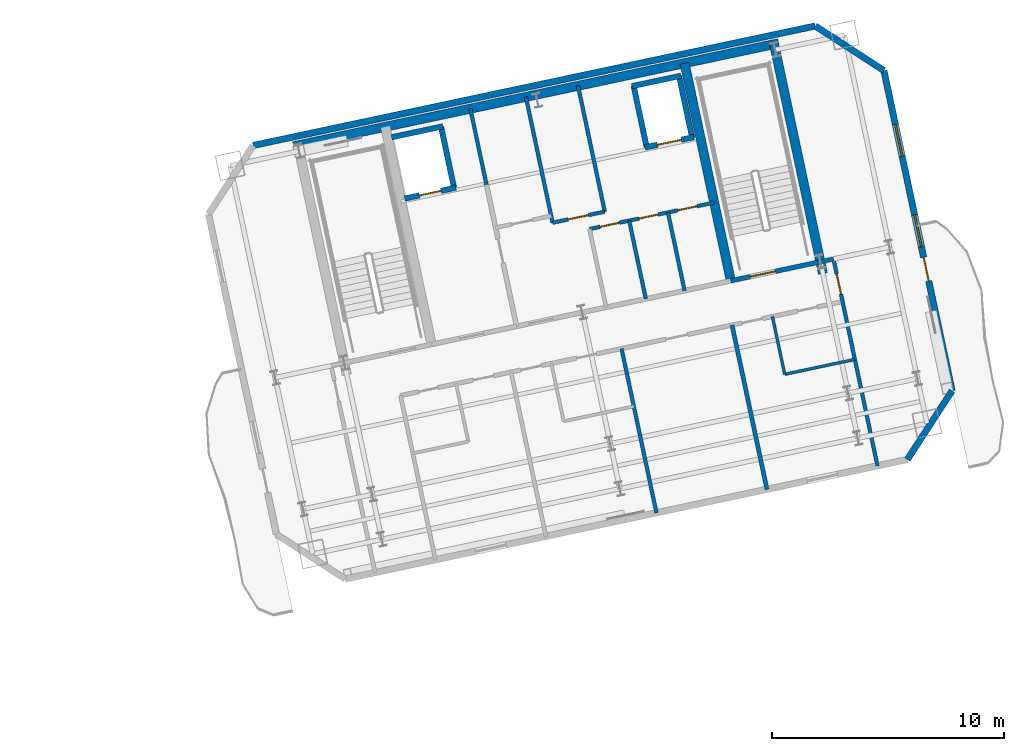
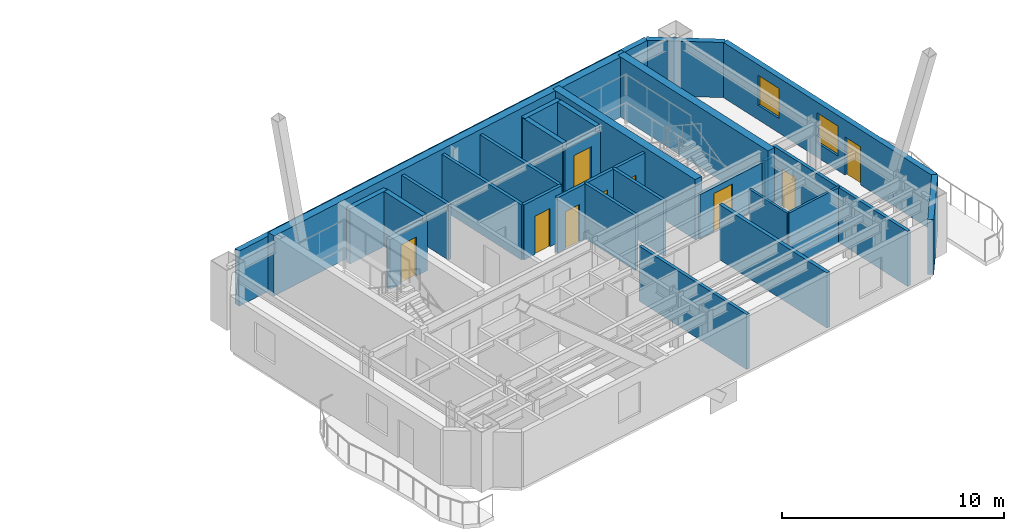
# One storey, part 9 of 14: 28 walls, 9 doors, 2 windows, 11 openings.
"""IFC4 building model written with IfcOpenShell, lengths in metres."""

from ifc_helpers import new_model, si_unit, direction, frame, frame_2d, origin, place, context, subcontext, project, spatial, rectangle, extrude, material, layer, layer_set, type_object, element, fill, save


model = new_model("IFC4")

# Units and contexts
model_context = context("Model", 3, precision=1e-05, world=origin(), true_north=direction((0.0, 1.0)))
body_context = subcontext(model_context, "Body", "Model", "MODEL_VIEW")
ifc_project = project(units=[si_unit("LENGTHUNIT", "METRE"), si_unit("AREAUNIT", "SQUARE_METRE"), si_unit("VOLUMEUNIT", "CUBIC_METRE"), si_unit("PLANEANGLEUNIT", "RADIAN"), si_unit("MASSUNIT", "GRAM", prefix="KILO")], contexts=[model_context])

# Site, building, storey
site_placement = place(None, origin())
site = spatial("IfcSite", under=ifc_project, at=site_placement, CompositionType="ELEMENT")
building_placement = place(site_placement, origin())
building = spatial("IfcBuilding", under=site, at=building_placement, Name="Haevon Station Towers", CompositionType="ELEMENT")
storey_placement = place(building_placement, frame((0.0, 0.0, 208.800048828125)))
storey = spatial("IfcBuildingStorey", under=building, at=storey_placement, Name="L57", CompositionType="ELEMENT", Elevation=208.800048828125)

# Walls
ifc_material_1 = material(Name="Gypsum board on steel stud", Category="steel")
ifc_layer_1 = layer(ifc_material_1, 0.179931640625)
ifc_layer_set_1 = layer_set([ifc_layer_1], Name="Gypsum board on steel stud")
wall_type_1 = type_object("IfcWallType", Name="WL-ACU180", PredefinedType="PARTITIONING", material=ifc_layer_set_1)
wall_1_placement = place(storey_placement, frame((119.29345703125, 41.80859375, 0.0), z_axis=(0.0, 0.0, 1.0), x_axis=(0.978146012851, 0.207919161079, 0.0)))
element("IfcWall", 1, at=wall_1_placement, inside=storey, type_object=wall_type_1, Name="WL-T2PT-L57-03", PredefinedType="PARTITIONING", context=body_context, shape_type="SweptSolid", body=[
    extrude(rectangle(XDim=0.580078125, YDim=0.179931640625, at=frame_2d((0.2900390625, 0.0))), origin(), (0.0, 0.0, 1.0), 2.429931640625),
])
wall_2_placement = place(storey_placement, frame((116.990478515625, 31.985107421875, 0.0), z_axis=(0.0, 0.0, 1.0), x_axis=(-0.207907487947, 0.978148494072, 0.0)))
element("IfcWall", 2, at=wall_2_placement, inside=storey, type_object=wall_type_1, Name="WL-T2PT-L57-12", PredefinedType="PARTITIONING", context=body_context, shape_type="SweptSolid", body=[
    extrude(rectangle(XDim=7.25, YDim=0.179931640625, at=frame_2d((3.625, 0.0))), origin(), (0.0, 0.0, 1.0), 3.030029296875),
])

# Wall, opening, door
ifc_layer_2 = layer(ifc_material_1, 0.199951171875)
ifc_layer_set_2 = layer_set([ifc_layer_2], Name="Gypsum board on steel stud")
wall_type_2 = type_object("IfcWallType", Name="WL-COR200", PredefinedType="PARTITIONING", material=ifc_layer_set_2)
wall_3_placement = place(storey_placement, frame((115.4296875, 40.9873046875, 0.0), z_axis=(0.0, 0.0, 1.0), x_axis=(0.978146596989, 0.207916413008, 0.0)))
wall_3 = element("IfcWall", 3, at=wall_3_placement, inside=storey, type_object=wall_type_2, Name="WL-ST-ST4-L57", PredefinedType="PARTITIONING", context=body_context, shape_type="SweptSolid", body=[
    extrude(rectangle(XDim=3.9501953125, YDim=0.199951171875, at=frame_2d((1.97509765625, 0.0))), origin(), (0.0, 0.0, 1.0), 2.429931640625),
])
opening_1_placement = place(wall_3_placement, frame((0.85009765625, 0.0, 0.0)))
opening_1 = element("IfcOpeningElement", 4, at=opening_1_placement, cuts=wall_3, Name="Opening DR-ST-ST4-L57", PredefinedType="OPENING", context=body_context, shape_type="SweptSolid", body=[
    extrude(rectangle(XDim=1.1201171875, YDim=2.10009765625, at=frame_2d((0.56005859375, 1.050048828125))), frame((0.0, 0.10986328125, 0.0), z_axis=(0.0, -1.0, 0.0), x_axis=(1.0, 0.0, 0.0)), (0.0, 0.0, 1.0), 0.219970703125),
])
ifc_material_2 = material(Name="Engineered oak timber", Category="wood")
door_type_1 = type_object("IfcDoorType", Name="DR-ST-1120", OperationType="NOTDEFINED", PredefinedType="DOOR", material=ifc_material_2)
door_1_placement = place(opening_1_placement, origin())
door_1 = element("IfcDoor", 5, at=door_1_placement, inside=storey, type_object=door_type_1, Name="L57 Escape Stair ST4 Fire Door", OperationType="SINGLE_SWING_RIGHT", OverallHeight=2.10009765625, OverallWidth=1.1201171875, PredefinedType="DOOR", context=body_context, shape_type="SweptSolid", body=[
    extrude(rectangle(XDim=1.1201171875, YDim=2.10009765625, at=frame_2d((0.56005859375, 1.050048828125))), frame((0.0, 0.02490234375, 0.0), z_axis=(0.0, -1.0, 0.0), x_axis=(1.0, 0.0, 0.0)), (0.0, 0.0, 1.0), 0.050048828125),
])
fill(opening_1, door_1)

# Walls
ifc_material_3 = material(Name="Concrete C60/75", Category="concrete")
ifc_layer_3 = layer(ifc_material_3, 0.39990234375)
ifc_layer_set_3 = layer_set([ifc_layer_3], Name="Concrete C60/75")
wall_type_3 = type_object("IfcWallType", Name="WL-CR400", PredefinedType="SHEAR", material=ifc_layer_set_3)
wall_4_placement = place(storey_placement, frame((96.560791015625, 46.791015625, 0.0), z_axis=(0.0, 0.0, 1.0), x_axis=(0.978148498705, 0.207907466152, 0.0)))
element("IfcWall", 6, at=wall_4_placement, inside=storey, type_object=wall_type_3, Name="WL-T2CR-L57-N", PredefinedType="SHEAR", context=body_context, shape_type="SweptSolid", body=[
    extrude(rectangle(XDim=21.39990234375, YDim=0.39990234375, at=frame_2d((10.699951171875, 0.0))), origin(), (0.0, 0.0, 1.0), 3.300048828125),
])
wall_5_placement = place(storey_placement, frame((119.401611328125, 41.2998046875, 0.0), z_axis=(0.0, 0.0, 1.0), x_axis=(-0.207904342798, 0.978149162575, 0.0)))
element("IfcWall", 7, at=wall_5_placement, inside=storey, type_object=wall_type_3, Name="WL-T2CR-L57-E", PredefinedType="SHEAR", context=body_context, shape_type="SweptSolid", body=[
    extrude(rectangle(XDim=10.1201171875, YDim=0.39990234375, at=frame_2d((5.06005859375, 0.0))), origin(), (0.0, 0.0, 1.0), 3.300048828125),
])
wall_6_placement = place(storey_placement, frame((115.4296875, 40.9873046875, 0.0), z_axis=(0.0, 0.0, 1.0), x_axis=(-0.207903162969, 0.978149413345, 0.0)))
element("IfcWall", 8, at=wall_6_placement, inside=storey, type_object=wall_type_3, Name="WL-T2CR-L57-M2", PredefinedType="SHEAR", context=body_context, shape_type="SweptSolid", body=[
    extrude(rectangle(XDim=9.599853515625, YDim=0.39990234375, at=frame_2d((4.7998046875, 0.0))), origin(), (0.0, 0.0, 1.0), 3.300048828125),
])
ifc_material_4 = material(Name="Precast concrete C45/55", Category="concrete")
ifc_layer_4 = layer(ifc_material_4, 0.280029296875)
ifc_layer_set_4 = layer_set([ifc_layer_4], Name="Precast concrete C45/55")
wall_type_4 = type_object("IfcWallType", Name="WL-EXT-PIER280", PredefinedType="SOLIDWALL", material=ifc_layer_set_4)
wall_7_placement = place(storey_placement, frame((94.814697265625, 46.828857421875, 0.0), z_axis=(0.0, 0.0, 1.0), x_axis=(0.97814726544, 0.207913268245, 0.0)))
element("IfcWall", 9, at=wall_7_placement, inside=storey, type_object=wall_type_4, Name="WL-T2-L57-N", PredefinedType="SOLIDWALL", context=body_context, shape_type="SweptSolid", body=[
    extrude(rectangle(XDim=24.800048828125, YDim=0.280029296875, at=frame_2d((12.39990234375, 0.0))), origin(), (0.0, 0.0, 1.0), 3.030029296875),
])
wall_8_placement = place(storey_placement, frame((119.07275390625, 51.985107421875, 0.0), z_axis=(0.0, 0.0, 1.0), x_axis=(0.838672309694, -0.544636352948, 0.0)))
element("IfcWall", 10, at=wall_8_placement, inside=storey, type_object=wall_type_4, Name="WL-T2-L57-NEC", PredefinedType="SOLIDWALL", context=body_context, shape_type="SweptSolid", body=[
    extrude(rectangle(XDim=3.535400390625, YDim=0.280029296875, at=frame_2d((1.767578125, 0.0))), origin(), (0.0, 0.0, 1.0), 3.030029296875),
])

# Wall, openings, door, windows
wall_9_placement = place(storey_placement, frame((122.037841796875, 50.0595703125, 0.0), z_axis=(0.0, 0.0, 1.0), x_axis=(0.207924054969, -0.978144972571, 0.0)))
wall_9 = element("IfcWall", 11, at=wall_9_placement, inside=storey, type_object=wall_type_4, Name="WL-T2-L57-E", PredefinedType="SOLIDWALL", context=body_context, shape_type="SweptSolid", body=[
    extrude(rectangle(XDim=14.130126953125, YDim=0.280029296875, at=frame_2d((7.06494140625, 0.0))), origin(), (0.0, 0.0, 1.0), 3.030029296875),
])
opening_2_placement = place(wall_9_placement, frame((8.239990234375, 0.0, 0.0)))
opening_2 = element("IfcOpeningElement", 12, at=opening_2_placement, cuts=wall_9, Name="Opening DR-T2-SCAL-L57-E", PredefinedType="OPENING", context=body_context, shape_type="SweptSolid", body=[
    extrude(rectangle(XDim=1.050048828125, YDim=2.10009765625, at=frame_2d((0.52490234375, 1.050048828125))), frame((0.0, 0.14990234375, 0.0), z_axis=(0.0, -1.0, 0.0), x_axis=(1.0, 0.0, 0.0)), (0.0, 0.0, 1.0), 0.300048828125),
])
opening_3_placement = place(wall_9_placement, frame((2.389892578125, 0.0, 0.800048828125)))
opening_3 = element("IfcOpeningElement", 13, at=opening_3_placement, cuts=wall_9, Name="Opening WN-END140", PredefinedType="OPENING", context=body_context, shape_type="SweptSolid", body=[
    extrude(rectangle(XDim=1.39990234375, YDim=1.64990234375, at=frame_2d((0.699951171875, 0.824951171875))), frame((0.0, 0.14990234375, 0.0), z_axis=(0.0, -1.0, 0.0), x_axis=(1.0, 0.0, 0.0)), (0.0, 0.0, 1.0), 0.300048828125),
])
opening_4_placement = place(wall_9_placement, frame((6.364990234375, 0.0, 0.800048828125)))
opening_4 = element("IfcOpeningElement", 14, at=opening_4_placement, cuts=wall_9, Name="Opening WN-END140", PredefinedType="OPENING", context=body_context, shape_type="SweptSolid", body=[
    extrude(rectangle(XDim=1.39990234375, YDim=1.64990234375, at=frame_2d((0.699951171875, 0.824951171875))), frame((0.0, 0.14990234375, 0.0), z_axis=(0.0, -1.0, 0.0), x_axis=(1.0, 0.0, 0.0)), (0.0, 0.0, 1.0), 0.300048828125),
])
ifc_material_5 = material(Name="Thermally broken anodised aluminium and laminated safety glass", Category="aluminium")
door_type_2 = type_object("IfcDoorType", Name="DR-BALC-1050", OperationType="NOTDEFINED", PredefinedType="DOOR", material=ifc_material_5)
door_2_placement = place(opening_2_placement, origin())
door_2 = element("IfcDoor", 15, at=door_2_placement, inside=storey, type_object=door_type_2, Name="Tower 2 L57 East Scalloped Balcony Door", OperationType="SINGLE_SWING_LEFT", OverallHeight=2.10009765625, OverallWidth=1.050048828125, PredefinedType="DOOR", context=body_context, shape_type="SweptSolid", body=[
    extrude(rectangle(XDim=1.050048828125, YDim=2.10009765625, at=frame_2d((0.52490234375, 1.050048828125))), frame((0.0, 0.02490234375, 0.0), z_axis=(0.0, -1.0, 0.0), x_axis=(1.0, 0.0, 0.0)), (0.0, 0.0, 1.0), 0.050048828125),
])
fill(opening_2, door_2)
ifc_material_6 = material(Name="Low-E triple glazing in thermally broken aluminium", Category="aluminium")
window_type = type_object("IfcWindowType", Name="WN-END140", PartitioningType="SINGLE_PANEL", PredefinedType="WINDOW", material=ifc_material_6)
window_1_placement = place(opening_3_placement, origin())
window_1 = element("IfcWindow", 16, at=window_1_placement, inside=storey, type_object=window_type, Name="WN-T2-L57-E01", OverallHeight=1.64990234375, OverallWidth=1.39990234375, PartitioningType="SINGLE_PANEL", PredefinedType="WINDOW", context=body_context, shape_type="SweptSolid", body=[
    extrude(rectangle(XDim=1.39990234375, YDim=1.64990234375, at=frame_2d((0.699951171875, 0.824951171875))), frame((0.0, 0.030029296875, 0.0), z_axis=(0.0, -1.0, 0.0), x_axis=(1.0, 0.0, 0.0)), (0.0, 0.0, 1.0), 0.06005859375),
])
fill(opening_3, window_1)
window_2_placement = place(opening_4_placement, origin())
window_2 = element("IfcWindow", 17, at=window_2_placement, inside=storey, type_object=window_type, Name="WN-T2-L57-E02", OverallHeight=1.64990234375, OverallWidth=1.39990234375, PartitioningType="SINGLE_PANEL", PredefinedType="WINDOW", context=body_context, shape_type="SweptSolid", body=[
    extrude(rectangle(XDim=1.39990234375, YDim=1.64990234375, at=frame_2d((0.699951171875, 0.824951171875))), frame((0.0, 0.030029296875, 0.0), z_axis=(0.0, -1.0, 0.0), x_axis=(1.0, 0.0, 0.0)), (0.0, 0.0, 1.0), 0.06005859375),
])
fill(opening_4, window_2)

# Walls
wall_10_placement = place(storey_placement, frame((124.975830078125, 36.23828125, 0.0), z_axis=(0.0, 0.0, 1.0), x_axis=(-0.544684921471, -0.838640767148, 0.0)))
element("IfcWall", 18, at=wall_10_placement, inside=storey, type_object=wall_type_4, Name="WL-T2-L57-SEC", PredefinedType="SOLIDWALL", context=body_context, shape_type="SweptSolid", body=[
    extrude(rectangle(XDim=3.53564453125, YDim=0.280029296875, at=frame_2d((1.767822265625, 0.0))), origin(), (0.0, 0.0, 1.0), 3.030029296875),
])
ifc_layer_5 = layer(ifc_material_1, 0.125)
ifc_layer_set_5 = layer_set([ifc_layer_5], Name="Gypsum board on steel stud")
wall_type_5 = type_object("IfcWallType", Name="WL-PRT125", PredefinedType="PARTITIONING", material=ifc_layer_set_5)
wall_11_placement = place(storey_placement, frame((117.75439453125, 36.952392578125, 0.0), z_axis=(0.0, 0.0, 1.0), x_axis=(0.978142809708, 0.207934229547, 0.0)))
element("IfcWall", 19, at=wall_11_placement, inside=storey, type_object=wall_type_5, Name="WL-T2PT-L57-13", PredefinedType="PARTITIONING", context=body_context, shape_type="SweptSolid", body=[
    extrude(rectangle(XDim=3.094970703125, YDim=0.125, at=frame_2d((1.54736328125, 0.0))), origin(), (0.0, 0.0, 1.0), 3.030029296875),
])
wall_12_placement = place(storey_placement, frame((117.75439453125, 36.952392578125, 0.0), z_axis=(0.0, 0.0, 1.0), x_axis=(-0.207848450565, 0.978161040728, 0.0)))
element("IfcWall", 20, at=wall_12_placement, inside=storey, type_object=wall_type_5, Name="WL-T2PT-L57-14", PredefinedType="PARTITIONING", context=body_context, shape_type="SweptSolid", body=[
    extrude(rectangle(XDim=2.550048828125, YDim=0.125, at=frame_2d((1.27490234375, 0.0))), origin(), (0.0, 0.0, 1.0), 3.030029296875),
])
ifc_layer_6 = layer(ifc_material_1, 0.159912109375)
ifc_layer_set_6 = layer_set([ifc_layer_6], Name="Gypsum board on steel stud")
wall_type_6 = type_object("IfcWallType", Name="WL-PRT160", PredefinedType="PARTITIONING", material=ifc_layer_set_6)
wall_13_placement = place(storey_placement, frame((104.88671875, 45.135986328125, 0.0), z_axis=(0.0, 0.0, 1.0), x_axis=(-0.207846553267, 0.978161443881, 0.0)))
element("IfcWall", 21, at=wall_13_placement, inside=storey, type_object=wall_type_6, Name="WL-T2CW-L57-01", PredefinedType="PARTITIONING", context=body_context, shape_type="SweptSolid", body=[
    extrude(rectangle(XDim=3.35009765625, YDim=0.159912109375, at=frame_2d((1.675048828125, 0.0))), origin(), (0.0, 0.0, 1.0), 3.030029296875),
])
wall_14_placement = place(storey_placement, frame((107.74072265625, 43.493408203125, 0.0), z_axis=(0.0, 0.0, 1.0), x_axis=(-0.207936619013, 0.97814230175, 0.0)))
element("IfcWall", 22, at=wall_14_placement, inside=storey, type_object=wall_type_6, Name="WL-T2CW-L57-03", PredefinedType="PARTITIONING", context=body_context, shape_type="SweptSolid", body=[
    extrude(rectangle(XDim=5.550048828125, YDim=0.159912109375, at=frame_2d((2.77490234375, 0.0))), origin(), (0.0, 0.0, 1.0), 3.030029296875),
])

# Wall, opening, door
wall_15_placement = place(storey_placement, frame((107.74072265625, 43.493408203125, 0.0), z_axis=(0.0, 0.0, 1.0), x_axis=(0.978141312374, 0.207941273027, 0.0)))
wall_15 = element("IfcWall", 23, at=wall_15_placement, inside=storey, type_object=wall_type_6, Name="WL-T2CW-L57-04", PredefinedType="PARTITIONING", context=body_context, shape_type="SweptSolid", body=[
    extrude(rectangle(XDim=2.300048828125, YDim=0.159912109375, at=frame_2d((1.14990234375, 0.0))), origin(), (0.0, 0.0, 1.0), 3.030029296875),
])
opening_5_placement = place(wall_15_placement, frame((0.679931640625, 0.0, 0.0)))
opening_5 = element("IfcOpeningElement", 24, at=opening_5_placement, cuts=wall_15, Name="Opening DR-WL-T2CW-L57-04-1", PredefinedType="OPENING", context=body_context, shape_type="SweptSolid", body=[
    extrude(rectangle(XDim=0.89990234375, YDim=2.10009765625, at=frame_2d((0.449951171875, 1.050048828125))), frame((0.0, 0.08984375, 0.0), z_axis=(0.0, -1.0, 0.0), x_axis=(1.0, 0.0, 0.0)), (0.0, 0.0, 1.0), 0.179931640625),
])
door_type_3 = type_object("IfcDoorType", Name="DR-FD60-900", OperationType="NOTDEFINED", PredefinedType="DOOR", material=ifc_material_2)
door_3_placement = place(opening_5_placement, origin())
door_3 = element("IfcDoor", 25, at=door_3_placement, inside=storey, type_object=door_type_3, Name="L57 Tower 2 Core Room Door 4-1", OperationType="SINGLE_SWING_RIGHT", OverallHeight=2.10009765625, OverallWidth=0.89990234375, PredefinedType="DOOR", context=body_context, shape_type="SweptSolid", body=[
    extrude(rectangle(XDim=0.89990234375, YDim=2.10009765625, at=frame_2d((0.449951171875, 1.050048828125))), frame((0.0, 0.02490234375, 0.0), z_axis=(0.0, -1.0, 0.0), x_axis=(1.0, 0.0, 0.0)), (0.0, 0.0, 1.0), 0.050048828125),
])
fill(opening_5, door_3)

# Walls
wall_16_placement = place(storey_placement, frame((109.990478515625, 43.9716796875, 0.0), z_axis=(0.0, 0.0, 1.0), x_axis=(-0.207936619013, 0.97814230175, 0.0)))
element("IfcWall", 26, at=wall_16_placement, inside=storey, type_object=wall_type_6, Name="WL-T2CW-L57-05", PredefinedType="PARTITIONING", context=body_context, shape_type="SweptSolid", body=[
    extrude(rectangle(XDim=5.550048828125, YDim=0.159912109375, at=frame_2d((2.77490234375, 0.0))), origin(), (0.0, 0.0, 1.0), 3.030029296875),
])
wall_17_placement = place(storey_placement, frame((111.76171875, 40.20751953125, 0.0), z_axis=(0.0, 0.0, 1.0), x_axis=(-0.207900225061, 0.978150037785, 0.0)))
element("IfcWall", 27, at=wall_17_placement, inside=storey, type_object=wall_type_6, Name="WL-T2CW-L57-07", PredefinedType="PARTITIONING", context=body_context, shape_type="SweptSolid", body=[
    extrude(rectangle(XDim=3.4501953125, YDim=0.159912109375, at=frame_2d((1.72509765625, 0.0))), origin(), (0.0, 0.0, 1.0), 3.030029296875),
])
wall_18_placement = place(storey_placement, frame((113.434326171875, 40.563232421875, 0.0), z_axis=(0.0, 0.0, 1.0), x_axis=(-0.207914616127, 0.978146978935, 0.0)))
element("IfcWall", 28, at=wall_18_placement, inside=storey, type_object=wall_type_6, Name="WL-T2CW-L57-08", PredefinedType="PARTITIONING", context=body_context, shape_type="SweptSolid", body=[
    extrude(rectangle(XDim=3.449951171875, YDim=0.159912109375, at=frame_2d((1.72509765625, 0.0))), origin(), (0.0, 0.0, 1.0), 3.030029296875),
])

# Wall, openings, doors
wall_19_placement = place(storey_placement, frame((109.332763671875, 43.218505859375, 0.0), z_axis=(0.0, 0.0, 1.0), x_axis=(0.978153773776, 0.207882646816, 0.0)))
wall_19 = element("IfcWall", 29, at=wall_19_placement, inside=storey, type_object=wall_type_6, Name="WL-T2CW-L57-09", PredefinedType="PARTITIONING", context=body_context, shape_type="SweptSolid", body=[
    extrude(rectangle(XDim=5.499755859375, YDim=0.159912109375, at=frame_2d((2.75, 0.0))), origin(), (0.0, 0.0, 1.0), 3.030029296875),
])
opening_6_placement = place(wall_19_placement, frame((0.469970703125, 0.0, 0.0)))
opening_6 = element("IfcOpeningElement", 30, at=opening_6_placement, cuts=wall_19, Name="Opening DR-WL-T2CW-L57-09-1", PredefinedType="OPENING", context=body_context, shape_type="SweptSolid", body=[
    extrude(rectangle(XDim=0.85009765625, YDim=2.050048828125, at=frame_2d((0.425048828125, 1.02490234375))), frame((0.0, 0.08984375, 0.0), z_axis=(0.0, -1.0, 0.0), x_axis=(1.0, 0.0, 0.0)), (0.0, 0.0, 1.0), 0.179931640625),
])
opening_7_placement = place(wall_19_placement, frame((2.179931640625, 0.0, 0.0)))
opening_7 = element("IfcOpeningElement", 31, at=opening_7_placement, cuts=wall_19, Name="Opening DR-WL-T2CW-L57-09-2", PredefinedType="OPENING", context=body_context, shape_type="SweptSolid", body=[
    extrude(rectangle(XDim=0.85009765625, YDim=2.050048828125, at=frame_2d((0.425048828125, 1.02490234375))), frame((0.0, 0.08984375, 0.0), z_axis=(0.0, -1.0, 0.0), x_axis=(1.0, 0.0, 0.0)), (0.0, 0.0, 1.0), 0.179931640625),
])
opening_8_placement = place(wall_19_placement, frame((3.89501953125, 0.0, 0.0)))
opening_8 = element("IfcOpeningElement", 32, at=opening_8_placement, cuts=wall_19, Name="Opening DR-WL-T2CW-L57-09-3", PredefinedType="OPENING", context=body_context, shape_type="SweptSolid", body=[
    extrude(rectangle(XDim=0.85009765625, YDim=2.050048828125, at=frame_2d((0.425048828125, 1.02490234375))), frame((0.0, 0.08984375, 0.0), z_axis=(0.0, -1.0, 0.0), x_axis=(1.0, 0.0, 0.0)), (0.0, 0.0, 1.0), 0.179931640625),
])
door_type_4 = type_object("IfcDoorType", Name="DR-FD30-850", OperationType="NOTDEFINED", PredefinedType="DOOR", material=ifc_material_2)
door_4_placement = place(opening_6_placement, origin())
door_4 = element("IfcDoor", 33, at=door_4_placement, inside=storey, type_object=door_type_4, Name="L57 Tower 2 Core Room Door 9-1", OperationType="SINGLE_SWING_LEFT", OverallHeight=2.050048828125, OverallWidth=0.85009765625, PredefinedType="DOOR", context=body_context, shape_type="SweptSolid", body=[
    extrude(rectangle(XDim=0.85009765625, YDim=2.050048828125, at=frame_2d((0.425048828125, 1.02490234375))), frame((0.0, 0.02490234375, 0.0), z_axis=(0.0, -1.0, 0.0), x_axis=(1.0, 0.0, 0.0)), (0.0, 0.0, 1.0), 0.050048828125),
])
fill(opening_6, door_4)
door_5_placement = place(opening_7_placement, origin())
door_5 = element("IfcDoor", 34, at=door_5_placement, inside=storey, type_object=door_type_4, Name="L57 Tower 2 Core Room Door 9-2", OperationType="SINGLE_SWING_RIGHT", OverallHeight=2.050048828125, OverallWidth=0.85009765625, PredefinedType="DOOR", context=body_context, shape_type="SweptSolid", body=[
    extrude(rectangle(XDim=0.85009765625, YDim=2.050048828125, at=frame_2d((0.425048828125, 1.02490234375))), frame((0.0, 0.02490234375, 0.0), z_axis=(0.0, -1.0, 0.0), x_axis=(1.0, 0.0, 0.0)), (0.0, 0.0, 1.0), 0.050048828125),
])
fill(opening_7, door_5)
door_6_placement = place(opening_8_placement, origin())
door_6 = element("IfcDoor", 35, at=door_6_placement, inside=storey, type_object=door_type_4, Name="L57 Tower 2 Core Room Door 9-3", OperationType="SINGLE_SWING_LEFT", OverallHeight=2.050048828125, OverallWidth=0.85009765625, PredefinedType="DOOR", context=body_context, shape_type="SweptSolid", body=[
    extrude(rectangle(XDim=0.85009765625, YDim=2.050048828125, at=frame_2d((0.425048828125, 1.02490234375))), frame((0.0, 0.02490234375, 0.0), z_axis=(0.0, -1.0, 0.0), x_axis=(1.0, 0.0, 0.0)), (0.0, 0.0, 1.0), 0.050048828125),
])
fill(opening_8, door_6)

# Wall, opening, door
wall_20_placement = place(storey_placement, frame((121.759033203125, 32.99853515625, 0.0), z_axis=(0.0, 0.0, 1.0), x_axis=(-0.207903528818, 0.978149335585, 0.0)))
wall_20 = element("IfcWall", 36, at=wall_20_placement, inside=storey, type_object=wall_type_6, Name="WL-T2PT-L57-05", PredefinedType="PARTITIONING", context=body_context, shape_type="SweptSolid", body=[
    extrude(rectangle(XDim=9.130126953125, YDim=0.159912109375, at=frame_2d((4.56494140625, 0.0))), origin(), (0.0, 0.0, 1.0), 3.030029296875),
])
opening_9_placement = place(wall_20_placement, frame((7.570068359375, 0.0, 0.0)))
opening_9 = element("IfcOpeningElement", 37, at=opening_9_placement, cuts=wall_20, Name="Opening DR-WL-T2PT-L57-05-01", PredefinedType="OPENING", context=body_context, shape_type="SweptSolid", body=[
    extrude(rectangle(XDim=0.89990234375, YDim=2.050048828125, at=frame_2d((0.449951171875, 1.02490234375))), frame((0.0, 0.08984375, 0.0), z_axis=(0.0, -1.0, 0.0), x_axis=(1.0, 0.0, 0.0)), (0.0, 0.0, 1.0), 0.179931640625),
])
door_type_5 = type_object("IfcDoorType", Name="DR-INT-900", OperationType="NOTDEFINED", PredefinedType="DOOR", material=ifc_material_2)
door_7_placement = place(opening_9_placement, origin())
door_7 = element("IfcDoor", 38, at=door_7_placement, inside=storey, type_object=door_type_5, Name="L57 Tower 2 Room Door 5-1", OperationType="SINGLE_SWING_LEFT", OverallHeight=2.050048828125, OverallWidth=0.89990234375, PredefinedType="DOOR", context=body_context, shape_type="SweptSolid", body=[
    extrude(rectangle(XDim=0.89990234375, YDim=2.050048828125, at=frame_2d((0.449951171875, 1.02490234375))), frame((0.0, 0.02490234375, 0.0), z_axis=(0.0, -1.0, 0.0), x_axis=(1.0, 0.0, 0.0)), (0.0, 0.0, 1.0), 0.050048828125),
])
fill(opening_9, door_7)

# Wall
wall_21_placement = place(storey_placement, frame((112.22216796875, 30.971435546875, 0.0), z_axis=(0.0, 0.0, 1.0), x_axis=(-0.207939706685, 0.978141645358, 0.0)))
element("IfcWall", 39, at=wall_21_placement, inside=storey, type_object=wall_type_6, Name="WL-T2PT-L57-11", PredefinedType="PARTITIONING", context=body_context, shape_type="SweptSolid", body=[
    extrude(rectangle(XDim=7.25, YDim=0.159912109375, at=frame_2d((3.625, 0.0))), origin(), (0.0, 0.0, 1.0), 3.030029296875),
])

# Wall, opening, door
ifc_material_7 = material(Name="Concrete C40/50", Category="concrete")
ifc_layer_7 = layer(ifc_material_7, 0.239990234375)
ifc_layer_set_7 = layer_set([ifc_layer_7], Name="Concrete C40/50")
wall_type_7 = type_object("IfcWallType", Name="WL-SHF240", PredefinedType="PARTITIONING", material=ifc_layer_set_7)
wall_22_placement = place(storey_placement, frame((101.353759765625, 44.538330078125, 0.0), z_axis=(0.0, 0.0, 1.0), x_axis=(0.978141002414, 0.207942731049, 0.0)))
wall_22 = element("IfcWall", 40, at=wall_22_placement, inside=storey, type_object=wall_type_7, Name="WL-SHF-FL2-L57", PredefinedType="PARTITIONING", context=body_context, shape_type="SweptSolid", body=[
    extrude(rectangle(XDim=2.260009765625, YDim=0.239990234375, at=frame_2d((1.1298828125, 0.0))), origin(), (0.0, 0.0, 1.0), 2.72998046875),
])
opening_10_placement = place(wall_22_placement, frame((0.655029296875, 0.0, 0.0)))
opening_10 = element("IfcOpeningElement", 41, at=opening_10_placement, cuts=wall_22, Name="Opening LD-FL2-L57", PredefinedType="OPENING", context=body_context, shape_type="SweptSolid", body=[
    extrude(rectangle(XDim=0.949951171875, YDim=2.14990234375, at=frame_2d((0.47509765625, 1.074951171875))), frame((0.0, 0.1298828125, 0.0), z_axis=(0.0, -1.0, 0.0), x_axis=(1.0, 0.0, 0.0)), (0.0, 0.0, 1.0), 0.260009765625),
])
ifc_material_8 = material(Name="Stainless steel and rated core", Category="steel")
door_type_6 = type_object("IfcDoorType", Name="LD-FL950", OperationType="SLIDING_TO_LEFT", PredefinedType="DOOR", material=ifc_material_8)
door_8_placement = place(opening_10_placement, origin())
door_8 = element("IfcDoor", 42, at=door_8_placement, inside=storey, type_object=door_type_6, Name="L57 Lift FL2 Sliding Landing Door", OperationType="SLIDING_TO_LEFT", OverallHeight=2.14990234375, OverallWidth=0.949951171875, PredefinedType="DOOR", context=body_context, shape_type="SweptSolid", body=[
    extrude(rectangle(XDim=0.949951171875, YDim=2.14990234375, at=frame_2d((0.47509765625, 1.074951171875))), frame((0.0, 0.02490234375, 0.0), z_axis=(0.0, -1.0, 0.0), x_axis=(1.0, 0.0, 0.0)), (0.0, 0.0, 1.0), 0.050048828125),
])
fill(opening_10, door_8)

# Walls
wall_23_placement = place(storey_placement, frame((100.79248046875, 47.179443359375, 0.0), z_axis=(0.0, 0.0, 1.0), x_axis=(0.978162968872, 0.207839376268, 0.0)))
element("IfcWall", 43, at=wall_23_placement, inside=storey, type_object=wall_type_7, Name="WL-SHF-FL2-L57-N", PredefinedType="PARTITIONING", context=body_context, shape_type="SweptSolid", body=[
    extrude(rectangle(XDim=2.260009765625, YDim=0.239990234375, at=frame_2d((1.1298828125, 0.0))), origin(), (0.0, 0.0, 1.0), 3.030029296875),
])
wall_24_placement = place(storey_placement, frame((103.486328125, 44.99169921875, 0.0), z_axis=(0.0, 0.0, 1.0), x_axis=(-0.207978798957, 0.978133334052, 0.0)))
element("IfcWall", 44, at=wall_24_placement, inside=storey, type_object=wall_type_7, Name="WL-SHF-FL2-L57-E", PredefinedType="PARTITIONING", context=body_context, shape_type="SweptSolid", body=[
    extrude(rectangle(XDim=2.699951171875, YDim=0.239990234375, at=frame_2d((1.35009765625, 0.0))), origin(), (0.0, 0.0, 1.0), 3.030029296875),
])

# Wall, opening, door
wall_25_placement = place(storey_placement, frame((111.72216796875, 46.7421875, 0.0), z_axis=(0.0, 0.0, 1.0), x_axis=(0.97813528961, 0.207969601673, 0.0)))
wall_25 = element("IfcWall", 45, at=wall_25_placement, inside=storey, type_object=wall_type_7, Name="WL-SHF-PL10-L57", PredefinedType="PARTITIONING", context=body_context, shape_type="SweptSolid", body=[
    extrude(rectangle(XDim=2.159912109375, YDim=0.239990234375, at=frame_2d((1.080078125, 0.0))), origin(), (0.0, 0.0, 1.0), 2.72998046875),
])
opening_11_placement = place(wall_25_placement, frame((0.554931640625, 0.0, 0.0)))
opening_11 = element("IfcOpeningElement", 46, at=opening_11_placement, cuts=wall_25, Name="Opening LD-PL10-L57", PredefinedType="OPENING", context=body_context, shape_type="SweptSolid", body=[
    extrude(rectangle(XDim=1.050048828125, YDim=2.14990234375, at=frame_2d((0.52490234375, 1.074951171875))), frame((0.0, 0.1298828125, 0.0), z_axis=(0.0, -1.0, 0.0), x_axis=(1.0, 0.0, 0.0)), (0.0, 0.0, 1.0), 0.260009765625),
])
door_type_7 = type_object("IfcDoorType", Name="LD-PL1050", OperationType="SLIDING_TO_LEFT", PredefinedType="DOOR", material=ifc_material_8)
door_9_placement = place(opening_11_placement, origin())
door_9 = element("IfcDoor", 47, at=door_9_placement, inside=storey, type_object=door_type_7, Name="L57 Lift PL10 Sliding Landing Door", OperationType="SLIDING_TO_LEFT", OverallHeight=2.14990234375, OverallWidth=1.050048828125, PredefinedType="DOOR", context=body_context, shape_type="SweptSolid", body=[
    extrude(rectangle(XDim=1.050048828125, YDim=2.14990234375, at=frame_2d((0.52490234375, 1.074951171875))), frame((0.0, 0.02490234375, 0.0), z_axis=(0.0, -1.0, 0.0), x_axis=(1.0, 0.0, 0.0)), (0.0, 0.0, 1.0), 0.050048828125),
])
fill(opening_11, door_9)

# Walls
wall_26_placement = place(storey_placement, frame((111.160888671875, 49.38330078125, 0.0), z_axis=(0.0, 0.0, 1.0), x_axis=(0.978158276388, 0.207861459473, 0.0)))
element("IfcWall", 48, at=wall_26_placement, inside=storey, type_object=wall_type_7, Name="WL-SHF-PL10-L57-N", PredefinedType="PARTITIONING", context=body_context, shape_type="SweptSolid", body=[
    extrude(rectangle(XDim=2.159912109375, YDim=0.239990234375, at=frame_2d((1.080078125, 0.0))), origin(), (0.0, 0.0, 1.0), 3.030029296875),
])
for number, where, z_axis, x_axis, name in (
    (49, (111.800537109375, 46.7587890625, 0.0), (0.0, 0.0, 1.0), (-0.207960405185, 0.978137244908, 0.0), "WL-SHF-PL10-L57-W"),
    (50, (113.7568359375, 47.174560546875, 0.0), (0.0, 0.0, 1.0), (-0.207960405185, 0.978137244908, 0.0), "WL-SHF-PL10-L57-E"),
):
    element("IfcWall", number, at=place(storey_placement, frame(where, z_axis=z_axis, x_axis=x_axis)), inside=storey, type_object=wall_type_7, Name=name, PredefinedType="PARTITIONING", context=body_context, shape_type="SweptSolid", body=[
        extrude(rectangle(XDim=2.7001953125, YDim=0.239990234375, at=frame_2d((1.35009765625, 0.0))), origin(), (0.0, 0.0, 1.0), 3.030029296875),
    ])

save(model, "model.ifc")
